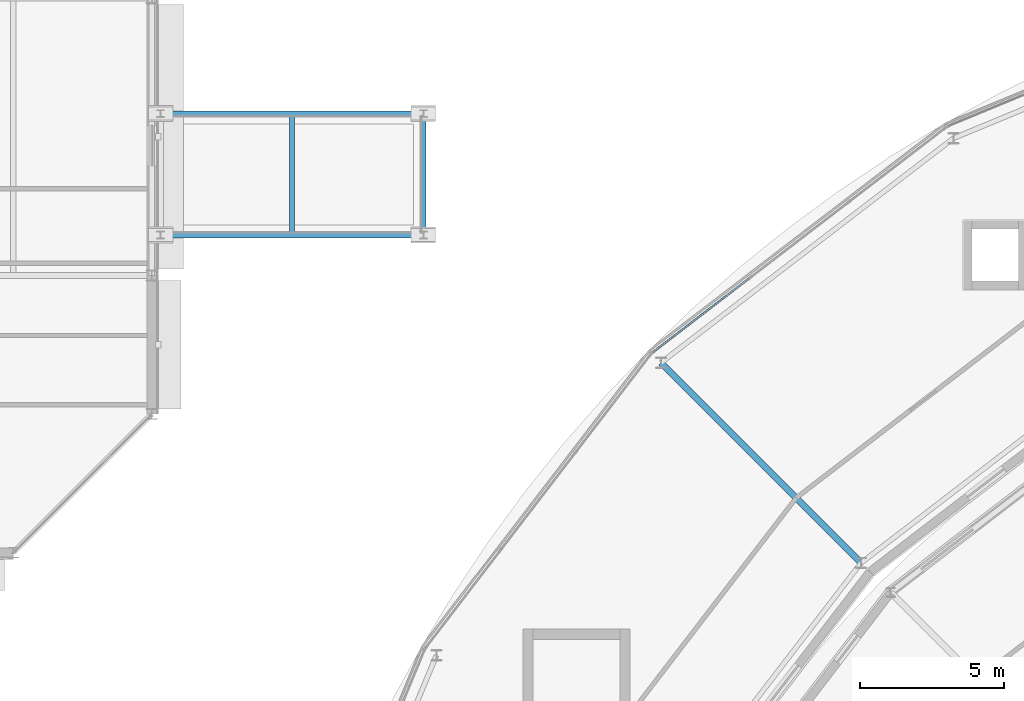
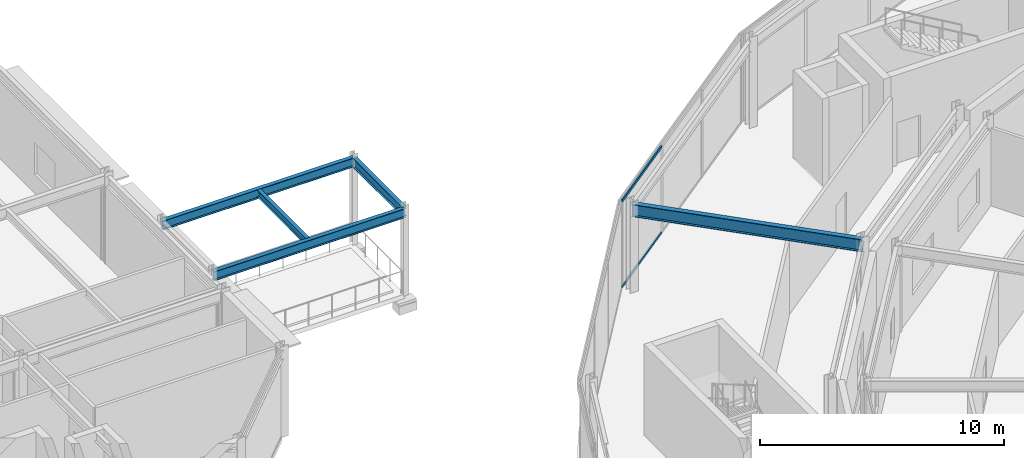
# One storey, part 64 of 157: 5 beams, 2 members, 1 element without a shape of its own.
"""IFC4 building model written with IfcOpenShell, lengths in metres."""

from ifc_helpers import new_model, si_unit, direction, frame, origin, origin_2d, place, context, subcontext, project, spatial, hollow_rectangle, i_section, extrude, material, material_profile, profile_set, type_object, element, aggregate, save


model = new_model("IFC4")

# Units and contexts
model_context = context("Model", 3, precision=1e-05, world=origin(), true_north=direction((0.0, 1.0)))
body_context = subcontext(model_context, "Body", "Model", "MODEL_VIEW")
ifc_project = project(units=[si_unit("LENGTHUNIT", "METRE"), si_unit("AREAUNIT", "SQUARE_METRE"), si_unit("VOLUMEUNIT", "CUBIC_METRE"), si_unit("PLANEANGLEUNIT", "RADIAN"), si_unit("MASSUNIT", "GRAM", prefix="KILO")], contexts=[model_context])

# Site, building, storey
site_placement = place(None, origin())
site = spatial("IfcSite", under=ifc_project, at=site_placement, CompositionType="ELEMENT")
building_placement = place(site_placement, origin())
building = spatial("IfcBuilding", under=site, at=building_placement, Name="Almandine Court Research Institute", CompositionType="ELEMENT")
storey_placement = place(building_placement, frame((0.0, 0.0, 5.25)))
storey = spatial("IfcBuildingStorey", under=building, at=storey_placement, Name="L01", CompositionType="ELEMENT", Elevation=5.25)

# Beams
ifc_material_1 = material(Name="Steel ASTM A992 Grade 50", Category="steel")
ifc_material_profile_1 = material_profile(ifc_material_1, i_section(OverallWidth=0.172119140625, OverallDepth=0.35791015625, WebThickness=0.008056640625, FlangeThickness=0.012939453125, at=origin_2d()), Name="W360x57")
ifc_profile_set_1 = profile_set([ifc_material_profile_1], Name="Steel ASTM A992 Grade 50")
beam_type_1 = type_object("IfcBeamType", Name="Beam-B-03", PredefinedType="JOIST", material=ifc_profile_set_1)
beam_1_placement = place(storey_placement, frame((39.64990234375, 95.093994140625, 4.1708984375), z_axis=(0.0, 1.0, 0.0), x_axis=(-1.0, 0.0, 0.0)))
element("IfcBeam", 1, at=beam_1_placement, inside=storey, type_object=beam_type_1, Name="L01 DAL-NW Composite Secondary Beam", PredefinedType="JOIST", context=body_context, shape_type="SweptSolid", body=[
    extrude(i_section(OverallWidth=0.172119140625, OverallDepth=0.35791015625, WebThickness=0.008056640625, FlangeThickness=0.012939453125, at=origin_2d()), origin(), (0.0, 0.0, 1.0), 4.011962890625),
])
ifc_material_profile_2 = material_profile(ifc_material_1, i_section(OverallWidth=0.22998046875, OverallDepth=0.616943359375, WebThickness=0.012939453125, FlangeThickness=0.02197265625, at=origin_2d()), Name="W610x140")
ifc_profile_set_2 = profile_set([ifc_material_profile_2], Name="Steel ASTM A992 Grade 50")
beam_type_2 = type_object("IfcBeamType", Name="Beam-G-02", PredefinedType="BEAM", material=ifc_profile_set_2)
beam_2_placement = place(storey_placement, frame((59.35205078125, 83.64794921875, 4.06103515625), z_axis=(-0.707106781187, 0.707106781187, 0.0), x_axis=(-0.707106781187, -0.707106781187, 0.0)))
element("IfcBeam", 2, at=beam_2_placement, inside=storey, type_object=beam_type_2, Name="L01 Drum Radial Girder 09", PredefinedType="BEAM", context=body_context, shape_type="SweptSolid", body=[
    extrude(i_section(OverallWidth=0.22998046875, OverallDepth=0.616943359375, WebThickness=0.012939453125, FlangeThickness=0.02197265625, at=origin_2d()), origin(), (0.0, 0.0, 1.0), 9.80029296875),
])
ifc_material_profile_3 = material_profile(ifc_material_1, i_section(OverallWidth=0.193115234375, OverallDepth=0.466064453125, WebThickness=0.010986328125, FlangeThickness=0.01904296875, at=origin_2d()), Name="W460x97")
ifc_profile_set_3 = profile_set([ifc_material_profile_3], Name="Steel ASTM A992 Grade 50")
beam_type_3 = type_object("IfcBeamType", Name="Beam-G-06-E", PredefinedType="SPANDREL", material=ifc_profile_set_3)
for number, where, z_axis, x_axis, name in (
    (3, (35.10009765625, 95.0, 4.116943359375), (1.0, 0.0, 0.0), (0.0, 1.0, 0.0), "L01 DAL-NW Primary X Girder"),
    (4, (35.10009765625, 99.199951171875, 4.116943359375), (1.0, 0.0, 0.0), (0.0, 1.0, 0.0), "L01 DAL-NW Primary X Girder"),
):
    element("IfcBeam", number, at=place(storey_placement, frame(where, z_axis=z_axis, x_axis=x_axis)), inside=storey, type_object=beam_type_3, Name=name, PredefinedType="SPANDREL", context=body_context, shape_type="SweptSolid", body=[
        extrude(i_section(OverallWidth=0.193115234375, OverallDepth=0.466064453125, WebThickness=0.010986328125, FlangeThickness=0.01904296875, at=origin_2d()), origin(), (0.0, 0.0, 1.0), 9.099853515625),
    ])
beam_3_placement = place(storey_placement, frame((44.199951171875, 95.0, 4.116943359375), z_axis=(0.0, 1.0, 0.0), x_axis=(-1.0, 0.0, 0.0)))
element("IfcBeam", 5, at=beam_3_placement, inside=storey, type_object=beam_type_3, Name="L01 DAL-NW Primary Y Girder", PredefinedType="SPANDREL", context=body_context, shape_type="SweptSolid", body=[
    extrude(i_section(OverallWidth=0.193115234375, OverallDepth=0.466064453125, WebThickness=0.010986328125, FlangeThickness=0.01904296875, at=origin_2d()), origin(), (0.0, 0.0, 1.0), 4.199951171875),
])

# Curtain wall, members
ifc_material_2 = material(Name="Unitised Curtain Wall Framing and Solar Glazing", Category="glass")
curtain_wall_type = type_object("IfcCurtainWallType", Name="CW-CWJ-19", PredefinedType="USERDEFINED", material=ifc_material_2)
curtain_wall_placement = place(storey_placement, origin())
curtain_wall = element("IfcCurtainWall", 6, at=curtain_wall_placement, inside=storey, type_object=curtain_wall_type, Name="L01 Stacked-Ring Drum Outer Solar Jali Screen 08", ObjectType="SOLAR JALI SCREEN", PredefinedType="USERDEFINED")
ifc_material_3 = material(Name="Anodised Aluminium AW-6063-T6", Category="aluminium")
ifc_material_profile_4 = material_profile(ifc_material_3, hollow_rectangle(XDim=0.06494140625, YDim=0.1298828125, WallThickness=0.00390625, at=origin_2d()), Name="ALU RHS 65x130x4")
ifc_profile_set_4 = profile_set([ifc_material_profile_4], Name="Anodised Aluminium AW-6063-T6")
member_type = type_object("IfcMemberType", Name="CWTrn-65x130", PredefinedType="NOTDEFINED", material=ifc_profile_set_4)
member_1_placement = place(storey_placement, frame((52.151611328125, 90.945556640625, 0.032470703125), z_axis=(0.793380569658, 0.608725941364, 0.0), x_axis=(-0.608725941364, 0.793380569658, 0.0)))
member_1 = element("IfcMember", 7, at=member_1_placement, type_object=member_type, Name="CWJ-19 transom 1.1", ObjectType="TRANSOM", PredefinedType="USERDEFINED", context=body_context, shape_type="SweptSolid", body=[
    extrude(hollow_rectangle(XDim=0.06494140625, YDim=0.1298828125, WallThickness=0.00390625, at=origin_2d()), origin(), (0.0, 0.0, 1.0), 4.195068359375),
])
member_2_placement = place(storey_placement, frame((52.151611328125, 90.945556640625, 4.33740234375), z_axis=(0.793380569658, 0.608725941364, 0.0), x_axis=(-0.608725941364, 0.793380569658, 0.0)))
member_2 = element("IfcMember", 8, at=member_2_placement, type_object=member_type, Name="CWJ-19 transom 1.2", ObjectType="TRANSOM", PredefinedType="USERDEFINED", context=body_context, shape_type="SweptSolid", body=[
    extrude(hollow_rectangle(XDim=0.06494140625, YDim=0.1298828125, WallThickness=0.00390625, at=origin_2d()), origin(), (0.0, 0.0, 1.0), 4.195068359375),
])
aggregate(curtain_wall, [member_1, member_2])

save(model, "model.ifc")
